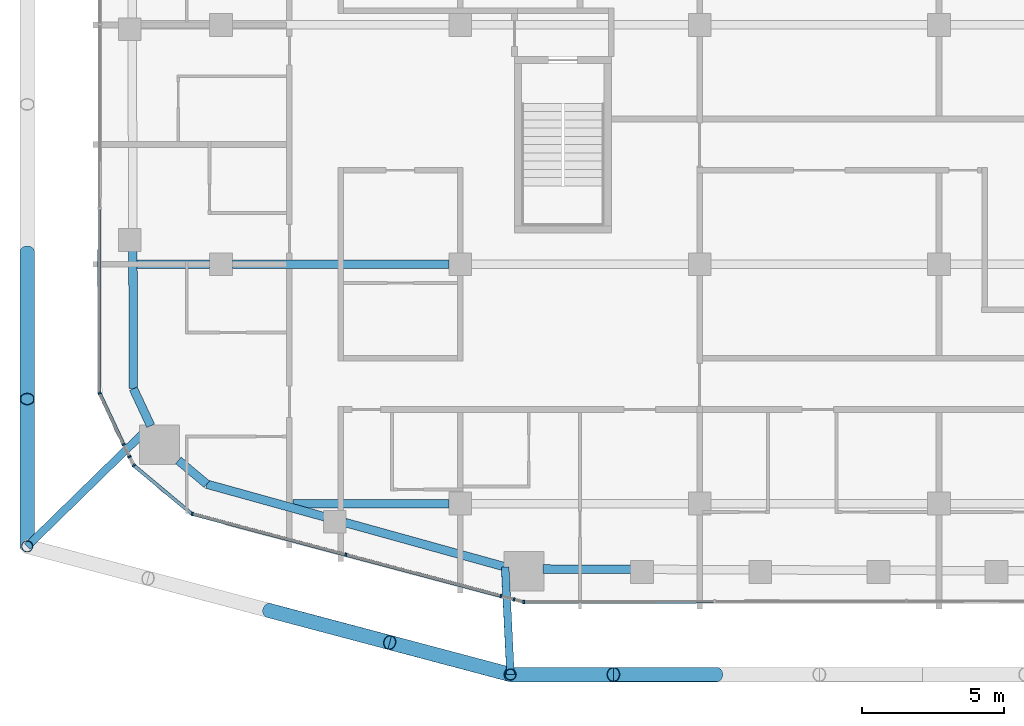
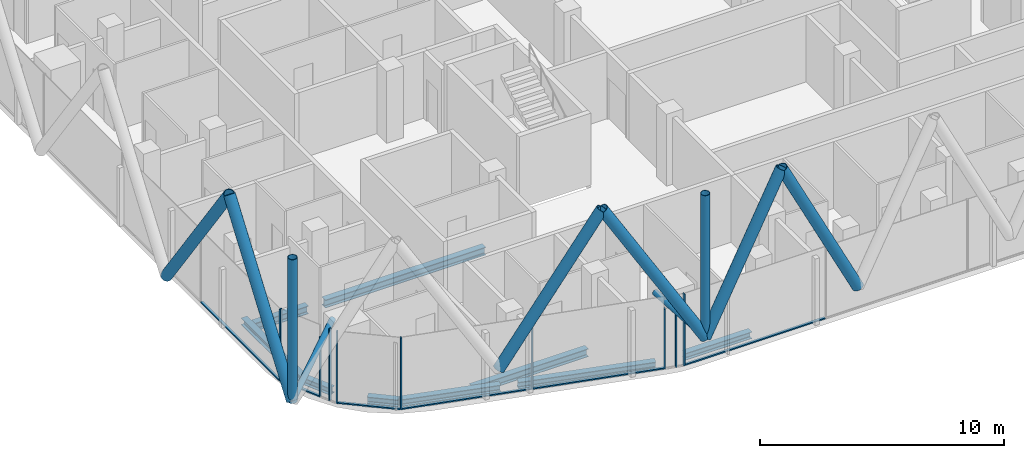
# One storey, part 2 of 28: 25 members, 9 beams, 9 elements without a shape of their own.
"""IFC4 building model written with IfcOpenShell, lengths in metres."""

from ifc_helpers import new_model, si_unit, direction, frame, origin, origin_2d, place, context, subcontext, project, spatial, rectangle, hollow_circle, i_section, extrude, material, layer, layer_set, material_profile, profile_set, type_object, element, aggregate, save


model = new_model("IFC4")

# Units and contexts
model_context = context("Model", 3, precision=1e-05, world=origin(), true_north=direction((0.0, 1.0)))
body_context = subcontext(model_context, "Body", "Model", "MODEL_VIEW")
ifc_project = project(units=[si_unit("LENGTHUNIT", "METRE"), si_unit("AREAUNIT", "SQUARE_METRE"), si_unit("VOLUMEUNIT", "CUBIC_METRE"), si_unit("PLANEANGLEUNIT", "RADIAN"), si_unit("MASSUNIT", "GRAM", prefix="KILO")], contexts=[model_context])

# Site, building, storey
site_placement = place(None, origin())
site = spatial("IfcSite", under=ifc_project, at=site_placement, CompositionType="ELEMENT")
building_placement = place(site_placement, origin())
building = spatial("IfcBuilding", under=site, at=building_placement, Name="Marenta Gate Hotel Tower", CompositionType="ELEMENT")
storey_placement = place(building_placement, frame((0.0, 0.0, 198.5)))
storey = spatial("IfcBuildingStorey", under=building, at=storey_placement, Name="L45", CompositionType="ELEMENT", Elevation=198.5)

# Members
ifc_material_1 = material(Name="Steel S355J2W", Category="steel")
ifc_material_profile_1 = material_profile(ifc_material_1, hollow_circle(Radius=0.203125, WallThickness=0.02490234375, at=origin_2d()), Name="CHS 406.4x25")
ifc_profile_set_1 = profile_set([ifc_material_profile_1], Name="Steel S355J2W")
member_type_1 = type_object("IfcMemberType", Name="Diagrid corner post Z3 CHS 406.4x25", PredefinedType="POST", material=ifc_profile_set_1)
for number, where, z_axis, x_axis, name in (
    (1, (-10.839111328125, -31.199951171875, 3.139892578125), (0.0, 0.0, 1.0), (1.0, 0.0, 0.0), "L45-DR-4"),
    (2, (-27.800048828125, -26.7001953125, 3.139892578125), (0.0, 0.0, 1.0), (1.0, 0.0, 0.0), "L45-DR-5"),
):
    element("IfcMember", number, at=place(storey_placement, frame(where, z_axis=z_axis, x_axis=x_axis)), inside=storey, type_object=member_type_1, Name=name, PredefinedType="POST", context=body_context, shape_type="SweptSolid", body=[
        extrude(hollow_circle(Radius=0.203125, WallThickness=0.02490234375, at=origin_2d()), origin(), (0.0, 0.0, 1.0), 7.2001953125),
    ])
ifc_material_2 = material(Name="Steel S355J2W", Category="steel")
ifc_material_profile_2 = material_profile(ifc_material_2, hollow_circle(Radius=0.25390625, WallThickness=0.02490234375, at=origin_2d()), Name="CHS 508x25")
ifc_profile_set_2 = profile_set([ifc_material_profile_2], Name="Steel S355J2W")
member_type_2 = type_object("IfcMemberType", Name="Diagrid diagonal Z3 CHS 508x25", PredefinedType="BRACE", material=ifc_profile_set_2)
for number, where, z_axis, x_axis, name in (
    (3, (-3.613037109375, -31.199951171875, 3.139892578125), (-0.44849810728, 0.0, 0.893783781329), (0.0, -1.0, 0.0), "L45-DG-19"),
    (4, (-10.839111328125, -31.199951171875, 3.139892578125), (0.44849810728, 0.0, 0.893783781329), (0.0, 1.0, 0.0), "L45-DG-20"),
):
    element("IfcMember", number, at=place(storey_placement, frame(where, z_axis=z_axis, x_axis=x_axis)), inside=storey, type_object=member_type_2, Name=name, PredefinedType="BRACE", context=body_context, shape_type="SweptSolid", body=[
        extrude(hollow_circle(Radius=0.25390625, WallThickness=0.02490234375, at=origin_2d()), origin(), (0.0, 0.0, 1.0), 8.055908203125),
    ])
for number, where, z_axis, x_axis, name in (
    (5, (-10.839111328125, -31.199951171875, 3.139892578125), (-0.50291158245, 0.13343024942, 0.853976761263), (-0.256443187528, -0.96655930577, 0.0), "L45-DG-21"),
    (6, (-19.319580078125, -28.9501953125, 3.139892578125), (0.502913525317, -0.133401808564, 0.853980060379), (0.256391194513, 0.966573098827, 0.0), "L45-DG-22"),
):
    element("IfcMember", number, at=place(storey_placement, frame(where, z_axis=z_axis, x_axis=x_axis)), inside=storey, type_object=member_type_2, Name=name, PredefinedType="BRACE", context=body_context, shape_type="SweptSolid", body=[
        extrude(hollow_circle(Radius=0.25390625, WallThickness=0.02490234375, at=origin_2d()), origin(), (0.0, 0.0, 1.0), 8.431396484375),
    ])
member_1_placement = place(storey_placement, frame((-27.800048828125, -26.7001953125, 3.139892578125), z_axis=(0.0, 0.583265964901, 0.81228124082), x_axis=(-1.0, 0.0, 0.0)))
element("IfcMember", 7, at=member_1_placement, inside=storey, type_object=member_type_2, Name="L45-DG-25", PredefinedType="BRACE", context=body_context, shape_type="SweptSolid", body=[
    extrude(hollow_circle(Radius=0.25390625, WallThickness=0.02490234375, at=origin_2d()), origin(), (0.0, 0.0, 1.0), 8.8642578125),
])
member_2_placement = place(storey_placement, frame((-27.800048828125, -16.360107421875, 3.139892578125), z_axis=(0.0, -0.583247791947, 0.812294289767), x_axis=(1.0, 0.0, 0.0)))
element("IfcMember", 8, at=member_2_placement, inside=storey, type_object=member_type_2, Name="L45-DG-26", PredefinedType="BRACE", context=body_context, shape_type="SweptSolid", body=[
    extrude(hollow_circle(Radius=0.25390625, WallThickness=0.02490234375, at=origin_2d()), origin(), (0.0, 0.0, 1.0), 8.864013671875),
])

# Beams
ifc_material_3 = material(Name="Steel S355", Category="steel")
ifc_material_profile_3 = material_profile(ifc_material_3, i_section(OverallWidth=0.300048828125, OverallDepth=0.340087890625, WebThickness=0.011962890625, FlangeThickness=0.021484375, FilletRadius=0.027099609375, at=origin_2d()), Name="HEB 340")
ifc_profile_set_3 = profile_set([ifc_material_profile_3], Name="Steel S355")
beam_type_1 = type_object("IfcBeamType", Name="Edge beam HEB 340", PredefinedType="SPANDREL", material=ifc_profile_set_3)
beam_1_placement = place(storey_placement, frame((-11.02783203125, -27.42236328125, -0.429931640625), z_axis=(-0.963619240724, 0.267278803699, 0.0), x_axis=(-0.267278803699, -0.963619240724, 0.0)))
element("IfcBeam", 9, at=beam_1_placement, inside=storey, type_object=beam_type_1, Name="L45-EB-1", PredefinedType="SPANDREL", context=body_context, shape_type="SweptSolid", body=[
    extrude(i_section(OverallWidth=0.300048828125, OverallDepth=0.340087890625, WebThickness=0.011962890625, FlangeThickness=0.021484375, FilletRadius=0.027099609375, at=origin_2d()), origin(), (0.0, 0.0, 1.0), 5.82958984375),
])
beam_2_placement = place(storey_placement, frame((-17.3681640625, -25.663818359375, -0.429931640625), z_axis=(-0.963628037304, 0.267247087396, 0.0), x_axis=(-0.267247087396, -0.963628037304, 0.0)))
element("IfcBeam", 10, at=beam_2_placement, inside=storey, type_object=beam_type_1, Name="L45-EB-2", PredefinedType="SPANDREL", context=body_context, shape_type="SweptSolid", body=[
    extrude(i_section(OverallWidth=0.300048828125, OverallDepth=0.340087890625, WebThickness=0.011962890625, FlangeThickness=0.021484375, FilletRadius=0.027099609375, at=origin_2d()), origin(), (0.0, 0.0, 1.0), 4.284423828125),
])
beam_3_placement = place(storey_placement, frame((-21.496826171875, -24.518798828125, -0.429931640625), z_axis=(-0.767065103149, 0.641569269472, 0.0), x_axis=(-0.641569269472, -0.767065103149, 0.0)))
element("IfcBeam", 11, at=beam_3_placement, inside=storey, type_object=beam_type_1, Name="L45-EB-3", PredefinedType="SPANDREL", context=body_context, shape_type="SweptSolid", body=[
    extrude(i_section(OverallWidth=0.300048828125, OverallDepth=0.340087890625, WebThickness=0.011962890625, FlangeThickness=0.021484375, FilletRadius=0.027099609375, at=origin_2d()), origin(), (0.0, 0.0, 1.0), 1.299560546875),
])
beam_4_placement = place(storey_placement, frame((-23.466796875, -22.46923828125, -0.429931640625), z_axis=(-0.423341112024, 0.905970365338, 0.0), x_axis=(-0.905970365338, -0.423341112024, 0.0)))
element("IfcBeam", 12, at=beam_4_placement, inside=storey, type_object=beam_type_1, Name="L45-EB-4", PredefinedType="SPANDREL", context=body_context, shape_type="SweptSolid", body=[
    extrude(i_section(OverallWidth=0.300048828125, OverallDepth=0.340087890625, WebThickness=0.011962890625, FlangeThickness=0.021484375, FilletRadius=0.027099609375, at=origin_2d()), origin(), (0.0, 0.0, 1.0), 1.437255859375),
])
beam_5_placement = place(storey_placement, frame((-24.0751953125, -21.167236328125, -0.429931640625), z_axis=(-0.003318732666, 0.999994492992, 0.0), x_axis=(-0.999994492992, -0.003318732666, 0.0)))
element("IfcBeam", 13, at=beam_5_placement, inside=storey, type_object=beam_type_1, Name="L45-EB-5", PredefinedType="SPANDREL", context=body_context, shape_type="SweptSolid", body=[
    extrude(i_section(OverallWidth=0.300048828125, OverallDepth=0.340087890625, WebThickness=0.011962890625, FlangeThickness=0.021484375, FilletRadius=0.027099609375, at=origin_2d()), origin(), (0.0, 0.0, 1.0), 4.855224609375),
])
beam_6_placement = place(storey_placement, frame((-6.580078125, -27.507568359375, -0.429931640625), z_axis=(-0.99999237665, 0.00390469495, 0.0), x_axis=(-0.00390469495, -0.99999237665, 0.0)))
element("IfcBeam", 14, at=beam_6_placement, inside=storey, type_object=beam_type_1, Name="L45-EB-36", PredefinedType="SPANDREL", context=body_context, shape_type="SweptSolid", body=[
    extrude(i_section(OverallWidth=0.300048828125, OverallDepth=0.340087890625, WebThickness=0.011962890625, FlangeThickness=0.021484375, FilletRadius=0.027099609375, at=origin_2d()), origin(), (0.0, 0.0, 1.0), 3.126220703125),
])

# Members
ifc_material_4 = material(Name="Steel S355J2W", Category="steel")
ifc_material_profile_4 = material_profile(ifc_material_4, hollow_circle(Radius=0.136474609375, WallThickness=0.012451171875, at=origin_2d()), Name="CHS 273x12.5")
ifc_profile_set_4 = profile_set([ifc_material_profile_4], Name="Steel S355J2W")
member_type_3 = type_object("IfcMemberType", Name="Floor tie CHS 273x12.5", PredefinedType="STRUT", material=ifc_profile_set_4)
member_3_placement = place(storey_placement, frame((-10.839111328125, -31.199951171875, 3.139892578125), z_axis=(-0.049850547476, 0.998756688546, 0.0), x_axis=(-0.998756688546, -0.049850547476, 0.0)))
element("IfcMember", 15, at=member_3_placement, inside=storey, type_object=member_type_3, Name="L45-DR-10", PredefinedType="STRUT", context=body_context, shape_type="SweptSolid", body=[
    extrude(hollow_circle(Radius=0.136474609375, WallThickness=0.012451171875, at=origin_2d()), origin(), (0.0, 0.0, 1.0), 3.77587890625),
])
member_4_placement = place(storey_placement, frame((-27.800048828125, -26.7001953125, 3.139892578125), z_axis=(0.715510328178, 0.698602154499, 0.0), x_axis=(-0.698602154499, 0.715510328178, 0.0)))
element("IfcMember", 16, at=member_4_placement, inside=storey, type_object=member_type_3, Name="L45-DR-11", PredefinedType="STRUT", context=body_context, shape_type="SweptSolid", body=[
    extrude(hollow_circle(Radius=0.136474609375, WallThickness=0.012451171875, at=origin_2d()), origin(), (0.0, 0.0, 1.0), 6.050048828125),
])

# Beams
ifc_material_5 = material(Name="Steel S355", Category="steel")
ifc_material_profile_5 = material_profile(ifc_material_5, i_section(OverallWidth=0.300048828125, OverallDepth=0.39990234375, WebThickness=0.013427734375, FlangeThickness=0.02392578125, FilletRadius=0.027099609375, at=origin_2d()), Name="HEB 400")
ifc_profile_set_5 = profile_set([ifc_material_profile_5], Name="Steel S355")
beam_type_2 = type_object("IfcBeamType", Name="Girder HEB 400", PredefinedType="BEAM", material=ifc_profile_set_5)
beam_7_placement = place(storey_placement, frame((-18.479248046875, -25.199951171875, -0.4599609375), z_axis=(1.0, 0.0, 0.0), x_axis=(0.0, 1.0, 0.0)))
element("IfcBeam", 17, at=beam_7_placement, inside=storey, type_object=beam_type_2, Name="L45-GD-1", PredefinedType="BEAM", context=body_context, shape_type="SweptSolid", body=[
    extrude(i_section(OverallWidth=0.300048828125, OverallDepth=0.39990234375, WebThickness=0.013427734375, FlangeThickness=0.02392578125, FilletRadius=0.027099609375, at=origin_2d()), origin(), (0.0, 0.0, 1.0), 5.479248046875),
])
beam_8_placement = place(storey_placement, frame((-23.939697265625, -16.800048828125, -0.4599609375), z_axis=(1.0, 0.0, 0.0), x_axis=(0.0, 1.0, 0.0)))
element("IfcBeam", 18, at=beam_8_placement, inside=storey, type_object=beam_type_2, Name="L45-GD-6", PredefinedType="BEAM", context=body_context, shape_type="SweptSolid", body=[
    extrude(i_section(OverallWidth=0.300048828125, OverallDepth=0.39990234375, WebThickness=0.013427734375, FlangeThickness=0.02392578125, FilletRadius=0.027099609375, at=origin_2d()), origin(), (0.0, 0.0, 1.0), 2.539794921875),
])
beam_9_placement = place(storey_placement, frame((-20.60009765625, -16.800048828125, -0.4599609375), z_axis=(1.0, 0.0, 0.0), x_axis=(0.0, 1.0, 0.0)))
element("IfcBeam", 19, at=beam_9_placement, inside=storey, type_object=beam_type_2, Name="L45-GD-7", PredefinedType="BEAM", context=body_context, shape_type="SweptSolid", body=[
    extrude(i_section(OverallWidth=0.300048828125, OverallDepth=0.39990234375, WebThickness=0.013427734375, FlangeThickness=0.02392578125, FilletRadius=0.027099609375, at=origin_2d()), origin(), (0.0, 0.0, 1.0), 7.60009765625),
])

# Curtain wall, member
ifc_material_6 = material(Name="Tinted insulated glass in bronze anodised frame", Category="glass")
ifc_layer = layer(ifc_material_6, 0.1201171875)
ifc_layer_set = layer_set([ifc_layer], Name="Tinted insulated glass in bronze anodised frame")
curtain_wall_type = type_object("IfcCurtainWallType", Name="Tower unitised curtain wall CW1", PredefinedType="NOTDEFINED", material=ifc_layer_set)
curtain_wall_1_placement = place(storey_placement, origin())
curtain_wall_1 = element("IfcCurtainWall", 20, at=curtain_wall_1_placement, inside=storey, type_object=curtain_wall_type, Name="CW1 run G05", PredefinedType="NOTDEFINED")
ifc_material_7 = material(Name="Bronze anodised aluminium", Category="aluminium")
ifc_material_profile_6 = material_profile(ifc_material_7, rectangle(XDim=0.1201171875, YDim=0.06005859375, at=origin_2d()), Name="Mullion CW1 60x120 bronze anodised aluminium")
ifc_profile_set_6 = profile_set([ifc_material_profile_6], Name="Bronze anodised aluminium")
member_type_4 = type_object("IfcMemberType", Name="Mullion CW1 60x120 bronze anodised aluminium", PredefinedType="MULLION", material=ifc_profile_set_6)
member_5_placement = place(storey_placement, frame((-25.26025390625, -21.321044921875, 0.0), z_axis=(0.0, 0.0, 1.0), x_axis=(0.905974826185, 0.423331565466, 0.0)))
member_5 = element("IfcMember", 21, at=member_5_placement, type_object=member_type_4, Name="CW1 mullion 1", PredefinedType="MULLION", context=body_context, shape_type="SweptSolid", body=[
    extrude(rectangle(XDim=0.1201171875, YDim=0.06005859375, at=origin_2d()), origin(), (0.0, 0.0, 1.0), 3.60009765625),
])

curtain_wall_2_placement = place(storey_placement, origin())
curtain_wall_2 = element("IfcCurtainWall", 22, at=curtain_wall_2_placement, inside=storey, type_object=curtain_wall_type, Name="CW1 run G06", PredefinedType="NOTDEFINED")
member_6_placement = place(storey_placement, frame((-24.418701171875, -23.121826171875, 0.0), z_axis=(0.0, 0.0, 1.0), x_axis=(0.905948786251, 0.423387289241, 0.0)))
member_6 = element("IfcMember", 23, at=member_6_placement, type_object=member_type_4, Name="CW1 mullion 1", PredefinedType="MULLION", context=body_context, shape_type="SweptSolid", body=[
    extrude(rectangle(XDim=0.1201171875, YDim=0.06005859375, at=origin_2d()), origin(), (0.0, 0.0, 1.0), 3.00048828125),
])
aggregate(curtain_wall_2, [member_6])

curtain_wall_3_placement = place(storey_placement, origin())
curtain_wall_3 = element("IfcCurtainWall", 24, at=curtain_wall_3_placement, inside=storey, type_object=curtain_wall_type, Name="CW1 run G07", PredefinedType="NOTDEFINED")
member_7_placement = place(storey_placement, frame((-24.215576171875, -23.556640625, 0.0), z_axis=(0.0, 0.0, 1.0), x_axis=(0.905989668401, 0.423299800084, 0.0)))
member_7 = element("IfcMember", 25, at=member_7_placement, type_object=member_type_4, Name="CW1 mullion 1", PredefinedType="MULLION", context=body_context, shape_type="SweptSolid", body=[
    extrude(rectangle(XDim=0.1201171875, YDim=0.06005859375, at=origin_2d()), origin(), (0.0, 0.0, 1.0), 3.60009765625),
])
aggregate(curtain_wall_3, [member_7])

curtain_wall_4_placement = place(storey_placement, origin())
curtain_wall_4 = element("IfcCurtainWall", 26, at=curtain_wall_4_placement, inside=storey, type_object=curtain_wall_type, Name="CW1 run G08", PredefinedType="NOTDEFINED")
member_8_placement = place(storey_placement, frame((-24.059814453125, -23.85986328125, 0.0), z_axis=(0.0, 0.0, 1.0), x_axis=(0.641524739495, 0.767102345594, 0.0)))
member_8 = element("IfcMember", 27, at=member_8_placement, type_object=member_type_4, Name="CW1 mullion 1", PredefinedType="MULLION", context=body_context, shape_type="SweptSolid", body=[
    extrude(rectangle(XDim=0.1201171875, YDim=0.06005859375, at=origin_2d()), origin(), (0.0, 0.0, 1.0), 3.60009765625),
])

# Curtain wall, members
curtain_wall_5_placement = place(storey_placement, origin())
curtain_wall_5 = element("IfcCurtainWall", 28, at=curtain_wall_5_placement, inside=storey, type_object=curtain_wall_type, Name="CW1 run G09", PredefinedType="NOTDEFINED")
member_9_placement = place(storey_placement, frame((-22.00634765625, -25.560791015625, 0.0), z_axis=(0.0, 0.0, 1.0), x_axis=(0.257131734785, 0.966376360931, 0.0)))
member_9 = element("IfcMember", 29, at=member_9_placement, type_object=member_type_4, Name="CW1 mullion 1", PredefinedType="MULLION", context=body_context, shape_type="SweptSolid", body=[
    extrude(rectangle(XDim=0.1201171875, YDim=0.06005859375, at=origin_2d()), origin(), (0.0, 0.0, 1.0), 3.60009765625),
])
member_10_placement = place(storey_placement, frame((-16.61962890625, -26.994140625, 0.0), z_axis=(0.0, 0.0, 1.0), x_axis=(0.257131734785, 0.966376360931, 0.0)))
member_10 = element("IfcMember", 30, at=member_10_placement, type_object=member_type_4, Name="CW1 mullion 2", PredefinedType="MULLION", context=body_context, shape_type="SweptSolid", body=[
    extrude(rectangle(XDim=0.1201171875, YDim=0.06005859375, at=origin_2d()), origin(), (0.0, 0.0, 1.0), 3.60009765625),
])

# Curtain wall, member
curtain_wall_6_placement = place(storey_placement, origin())
curtain_wall_6 = element("IfcCurtainWall", 31, at=curtain_wall_6_placement, inside=storey, type_object=curtain_wall_type, Name="CW1 run G10", PredefinedType="NOTDEFINED")
member_11_placement = place(storey_placement, frame((-11.1748046875, -28.44287109375, 0.0), z_axis=(0.0, 0.0, 1.0), x_axis=(0.257099982864, 0.966384808868, 0.0)))
member_11 = element("IfcMember", 32, at=member_11_placement, type_object=member_type_4, Name="CW1 mullion 1", PredefinedType="MULLION", context=body_context, shape_type="SweptSolid", body=[
    extrude(rectangle(XDim=0.1201171875, YDim=0.06005859375, at=origin_2d()), origin(), (0.0, 0.0, 1.0), 3.00048828125),
])
aggregate(curtain_wall_6, [member_11])

curtain_wall_7_placement = place(storey_placement, origin())
curtain_wall_7 = element("IfcCurtainWall", 33, at=curtain_wall_7_placement, inside=storey, type_object=curtain_wall_type, Name="CW1 run G11", PredefinedType="NOTDEFINED")
member_12_placement = place(storey_placement, frame((-10.71533203125, -28.565185546875, 0.0), z_axis=(0.0, 0.0, 1.0), x_axis=(0.257431460974, 0.966296560535, 0.0)))
member_12 = element("IfcMember", 34, at=member_12_placement, type_object=member_type_4, Name="CW1 mullion 1", PredefinedType="MULLION", context=body_context, shape_type="SweptSolid", body=[
    extrude(rectangle(XDim=0.1201171875, YDim=0.06005859375, at=origin_2d()), origin(), (0.0, 0.0, 1.0), 3.60009765625),
])
aggregate(curtain_wall_7, [member_12])

curtain_wall_8_placement = place(storey_placement, origin())
curtain_wall_8 = element("IfcCurtainWall", 35, at=curtain_wall_8_placement, inside=storey, type_object=curtain_wall_type, Name="CW1 run G12", PredefinedType="NOTDEFINED")
member_13_placement = place(storey_placement, frame((-10.3759765625, -28.6474609375, 0.0), z_axis=(0.0, 0.0, 1.0), x_axis=(-0.001643488917, 0.999998649471, 0.0)))
member_13 = element("IfcMember", 36, at=member_13_placement, type_object=member_type_4, Name="CW1 mullion 1", PredefinedType="MULLION", context=body_context, shape_type="SweptSolid", body=[
    extrude(rectangle(XDim=0.1201171875, YDim=0.06005859375, at=origin_2d()), origin(), (0.0, 0.0, 1.0), 3.60009765625),
])

curtain_wall_9_placement = place(storey_placement, origin())
curtain_wall_9 = element("IfcCurtainWall", 37, at=curtain_wall_9_placement, inside=storey, type_object=curtain_wall_type, Name="CW1 run G04", PredefinedType="NOTDEFINED")
ifc_material_8 = material(Name="Bronze anodised aluminium", Category="aluminium")
ifc_material_profile_7 = material_profile(ifc_material_8, rectangle(XDim=0.1201171875, YDim=0.06005859375, at=origin_2d()), Name="Transom CW1 60x120 bronze anodised aluminium")
ifc_profile_set_7 = profile_set([ifc_material_profile_7], Name="Bronze anodised aluminium")
member_type_5 = type_object("IfcMemberType", Name="Transom CW1 60x120 bronze anodised aluminium", PredefinedType="USERDEFINED", material=ifc_profile_set_7)
member_14_placement = place(storey_placement, frame((-25.262939453125, -14.86376953125, 0.030029296875), z_axis=(-0.001556743377, -0.999998788274, 0.0), x_axis=(0.999998788274, -0.001556743377, 0.0)))
member_14 = element("IfcMember", 38, at=member_14_placement, type_object=member_type_5, Name="CW1 transom 6.1", ObjectType="TRANSOM", PredefinedType="USERDEFINED", context=body_context, shape_type="SweptSolid", body=[
    extrude(rectangle(XDim=0.1201171875, YDim=0.06005859375, at=origin_2d()), origin(), (0.0, 0.0, 1.0), 6.429931640625),
])
aggregate(curtain_wall_9, [member_14])

# Member
member_15_placement = place(storey_placement, frame((-25.24755859375, -21.34814453125, 0.030029296875), z_axis=(0.423349902149, -0.905966257843, 0.0), x_axis=(0.905966257843, 0.423349902149, 0.0)))
member_15 = element("IfcMember", 39, at=member_15_placement, type_object=member_type_5, Name="CW1 transom 1.1", ObjectType="TRANSOM", PredefinedType="USERDEFINED", context=body_context, shape_type="SweptSolid", body=[
    extrude(rectangle(XDim=0.1201171875, YDim=0.06005859375, at=origin_2d()), origin(), (0.0, 0.0, 1.0), 1.927978515625),
])

aggregate(curtain_wall_1, [member_5, member_15])

member_16_placement = place(storey_placement, frame((-24.036865234375, -23.879150390625, 0.030029296875), z_axis=(0.767100312603, -0.641527170433, 0.0), x_axis=(0.641527170433, 0.767100312603, 0.0)))
member_16 = element("IfcMember", 40, at=member_16_placement, type_object=member_type_5, Name="CW1 transom 1.1", ObjectType="TRANSOM", PredefinedType="USERDEFINED", context=body_context, shape_type="SweptSolid", body=[
    extrude(rectangle(XDim=0.1201171875, YDim=0.06005859375, at=origin_2d()), origin(), (0.0, 0.0, 1.0), 2.609130859375),
])

aggregate(curtain_wall_4, [member_8, member_16])

member_17_placement = place(storey_placement, frame((-21.977294921875, -25.568603515625, 0.030029296875), z_axis=(0.96638102535, -0.257114203895, 0.0), x_axis=(0.257114203895, 0.96638102535, 0.0)))
member_17 = element("IfcMember", 41, at=member_17_placement, type_object=member_type_5, Name="CW1 transom 1.1", ObjectType="TRANSOM", PredefinedType="USERDEFINED", context=body_context, shape_type="SweptSolid", body=[
    extrude(rectangle(XDim=0.1201171875, YDim=0.06005859375, at=origin_2d()), origin(), (0.0, 0.0, 1.0), 5.513916015625),
])

member_18_placement = place(storey_placement, frame((-16.590576171875, -27.001708984375, 0.030029296875), z_axis=(0.966373646518, -0.257141936127, 0.0), x_axis=(0.257141936127, 0.966373646518, 0.0)))
member_18 = element("IfcMember", 42, at=member_18_placement, type_object=member_type_5, Name="CW1 transom 2.1", ObjectType="TRANSOM", PredefinedType="USERDEFINED", context=body_context, shape_type="SweptSolid", body=[
    extrude(rectangle(XDim=0.1201171875, YDim=0.06005859375, at=origin_2d()), origin(), (0.0, 0.0, 1.0), 5.57421875),
])

aggregate(curtain_wall_5, [member_9, member_10, member_17, member_18])

member_19_placement = place(storey_placement, frame((-10.345947265625, -28.6474609375, 0.030029296875), z_axis=(0.99999863267, 0.001653679938, 0.0), x_axis=(-0.001653679938, 0.99999863267, 0.0)))
member_19 = element("IfcMember", 43, at=member_19_placement, type_object=member_type_5, Name="CW1 transom 1.1", ObjectType="TRANSOM", PredefinedType="USERDEFINED", context=body_context, shape_type="SweptSolid", body=[
    extrude(rectangle(XDim=0.1201171875, YDim=0.06005859375, at=origin_2d()), origin(), (0.0, 0.0, 1.0), 6.6435546875),
])

aggregate(curtain_wall_8, [member_13, member_19])

save(model, "model.ifc")
